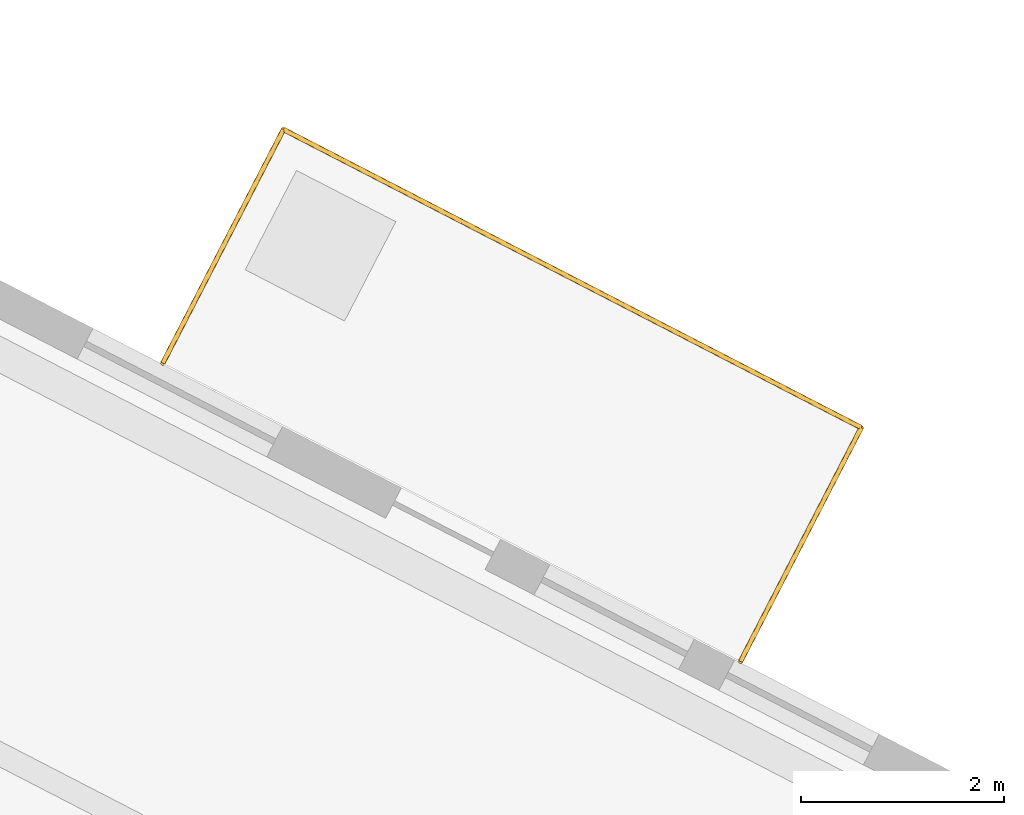
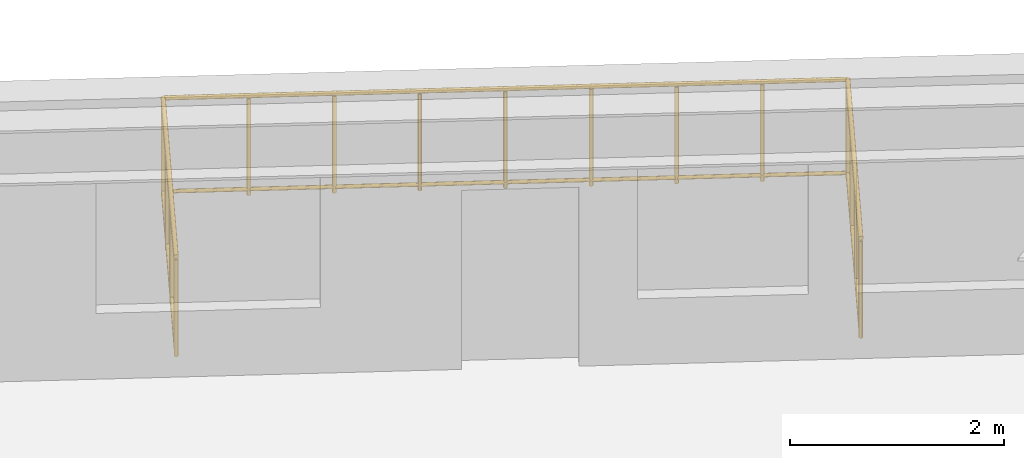
# One storey, part 8 of 8: 1 railing.
"""IFC4 building model written with IfcOpenShell, lengths in metres."""

import ifcopenshell
import ifcopenshell.guid

model = None  # the IFC model being written
_history = None  # IfcOwnerHistory: only IFC2X3 demands one
_inside = {}  # id of a spatial element -> (the spatial element, [elements in it])
_under = {}  # id of a project, library or spatial element -> (it, [spatial elements below it])
_declared = {}  # id of a project -> (the project, [libraries it declares])
_typed = {}  # id of a type object -> (the type object, [elements of that type])
_made_of = {}  # id of a material, layer set ... -> (it, [elements and type objects made of it])


def new_model(schema):
    """Start an empty IFC model of exactly this schema.

    Asked for "IFC4X3", IfcOpenShell would pick the latest addendum, in which some entities
    have other attributes; the version numbers below select the first issue.
    IFC2X3 requires an IfcOwnerHistory on every rooted entity: one is made here for all.
    """
    global model, _history
    if schema == "IFC4X3":
        model = ifcopenshell.file(schema_version=(4, 3, 0, 0))
    else:
        model = ifcopenshell.file(schema=schema)
    _inside.clear()
    _under.clear()
    _declared.clear()
    _typed.clear()
    _made_of.clear()
    _history = None
    if model.schema == "IFC2X3":
        org = make("IfcOrganization", Name="unknown")
        user = make(
            "IfcPersonAndOrganization",
            ThePerson=make("IfcPerson", FamilyName="unknown"),
            TheOrganization=org,
        )
        app = make(
            "IfcApplication",
            ApplicationDeveloper=org,
            Version="unknown",
            ApplicationFullName="unknown",
            ApplicationIdentifier="unknown",
        )
        _history = make(
            "IfcOwnerHistory",
            OwningUser=user,
            OwningApplication=app,
            ChangeAction="ADDED",
            CreationDate=0,
        )
    return model


def make(cls, **values):
    """One entity of the class cls with the attributes given. An attribute that is None is left unset."""
    return model.create_entity(
        cls, **{name: value for name, value in values.items() if value is not None}
    )


def rooted(cls, **values):
    """An entity with a GlobalId (a new one), such as an element, a storey or a relation."""
    return make(cls, GlobalId=ifcopenshell.guid.new(), OwnerHistory=_history, **values)


def si_unit(unit_type, name, prefix=None):
    """IfcSIUnit, for example si_unit("LENGTHUNIT", "METRE", prefix="MILLI")."""
    return make("IfcSIUnit", UnitType=unit_type, Prefix=prefix, Name=name)


def assignment(units):
    """IfcUnitAssignment: the units of a project."""
    return None if units is None else make("IfcUnitAssignment", Units=units)


def point(xyz):
    """IfcCartesianPoint."""
    return None if xyz is None else make("IfcCartesianPoint", Coordinates=xyz)


def direction(xyz):
    """IfcDirection."""
    return None if xyz is None else make("IfcDirection", DirectionRatios=xyz)


def frame(location, z_axis=None, x_axis=None):
    """IfcAxis2Placement3D, a coordinate frame: its origin and axes. An axis left out is left unset."""
    return make(
        "IfcAxis2Placement3D",
        Location=point(location),
        Axis=direction(z_axis),
        RefDirection=direction(x_axis),
    )


def frame_2d(location, x_axis=None):
    """IfcAxis2Placement2D, a coordinate frame in the plane: its origin and x axis."""
    return make(
        "IfcAxis2Placement2D", Location=point(location), RefDirection=direction(x_axis)
    )


def origin():
    """The frame at (0, 0, 0) with its axes left unset."""
    return frame((0.0, 0.0, 0.0))


def origin_2d():
    """The frame at (0, 0) in the plane with its x axis left unset."""
    return frame_2d((0.0, 0.0))


def place(relative_to, where):
    """IfcLocalPlacement: puts the frame where relative to a parent placement (None: the world)."""
    return make(
        "IfcLocalPlacement", PlacementRelTo=relative_to, RelativePlacement=where
    )


def context(
    kind, dimensions, precision=None, world=None, true_north=None, identifier=None
):
    """IfcGeometricRepresentationContext, for example the 3D "Model" context."""
    return make(
        "IfcGeometricRepresentationContext",
        ContextIdentifier=identifier,
        ContextType=kind,
        CoordinateSpaceDimension=dimensions,
        Precision=precision,
        WorldCoordinateSystem=world,
        TrueNorth=true_north,
    )


def subcontext(parent, identifier, kind, view, scale=None):
    """IfcGeometricRepresentationSubContext, for example "Body" below "Model"."""
    return make(
        "IfcGeometricRepresentationSubContext",
        ContextIdentifier=identifier,
        ContextType=kind,
        ParentContext=parent,
        TargetScale=scale,
        TargetView=view,
    )


def project(units=None, contexts=None):
    """IfcProject with its units and contexts."""
    return rooted(
        "IfcProject",
        Name="project",
        RepresentationContexts=contexts,
        UnitsInContext=assignment(units),
    )


def spatial(cls, under=None, at=None, **own):
    """A site, building, storey or space (cls), placed at a placement, below another one or the project."""
    s = rooted(cls, ObjectPlacement=at, **own)
    if under is not None:
        _under.setdefault(under.id(), (under, []))[1].append(s)
    return s


def profile(cls, at=None, kind="AREA", **sizes):
    """A parametric profile (cls). Its sizes go by their IFC names, for example OverallWidth=200.0."""
    return make(cls, ProfileType=kind, Position=at, **sizes)


def circle(**sizes):
    """IfcCircleProfileDef."""
    return profile("IfcCircleProfileDef", **sizes)


def extrude(swept, where, along, depth):
    """IfcExtrudedAreaSolid: the profile swept, set in the frame where, extruded along a direction by depth."""
    return make(
        "IfcExtrudedAreaSolid",
        SweptArea=swept,
        Position=where,
        ExtrudedDirection=direction(along),
        Depth=depth,
    )


def shape(context_of_items, identifier, shape_type, items):
    """IfcShapeRepresentation: the items that make up one representation, for example the "Body"."""
    return make(
        "IfcShapeRepresentation",
        ContextOfItems=context_of_items,
        RepresentationIdentifier=identifier,
        RepresentationType=shape_type,
        Items=items,
    )


def material(Name=None, Category=None):
    """IfcMaterial."""
    return make("IfcMaterial", Name=Name, Category=Category)


def made_of(thing, what):
    """Note that an element or type object is made of a material, layer set ...; save() writes the relation."""
    if what is not None:
        _made_of.setdefault(what.id(), (what, []))[1].append(thing)
    return thing


def type_object(cls, material=None, **own):
    """A type object (cls), such as IfcWallType, which elements share."""
    return made_of(rooted(cls, **own), material)


def element(
    cls,
    number,
    at=None,
    inside=None,
    cuts=None,
    type_object=None,
    material=None,
    context=None,
    identifier="Body",
    shape_type=None,
    held_by="IfcProductDefinitionShape",
    body=None,
    shapes=None,
    **own,
):
    """One element of the class cls, such as IfcWall. Its Tag is "e" and its number.

    at: its placement. inside: the storey or other place that contains it. cuts: it is an
    opening in that element (IfcRelVoidsElement). A single representation is given by context,
    identifier, shape_type and body (its items); several are given by shapes. held_by: the class
    of the entity that holds the representations. save() writes the other relations.
    """
    e = rooted(cls, Tag="e%d" % number, ObjectPlacement=at, **own)
    if body is not None:
        shapes = [shape(context, identifier, shape_type, body)]
    if shapes is not None:
        e.Representation = make(held_by, Representations=shapes)
    if inside is not None:
        _inside.setdefault(inside.id(), (inside, []))[1].append(e)
    if cuts is not None:
        rooted(
            "IfcRelVoidsElement", RelatingBuildingElement=cuts, RelatedOpeningElement=e
        )
    if type_object is not None:
        _typed.setdefault(type_object.id(), (type_object, []))[1].append(e)
    return made_of(e, material)


def aggregate(whole, parts):
    """IfcRelAggregates: a whole, such as a stair, and the parts it consists of."""
    return rooted("IfcRelAggregates", RelatingObject=whole, RelatedObjects=parts)


def save(model, path):
    """Write the relations noted so far, then the file.

    IfcRelAggregates (storeys below a building ...), IfcRelContainedInSpatialStructure (elements
    in a storey), IfcRelDefinesByType, IfcRelAssociatesMaterial and IfcRelDeclares: one each for
    every whole, place, type object, material and project.
    """
    for whole, parts in _under.values():
        aggregate(whole, parts)
    for where, things in _inside.values():
        rooted(
            "IfcRelContainedInSpatialStructure",
            RelatedElements=things,
            RelatingStructure=where,
        )
    for kind, things in _typed.values():
        rooted("IfcRelDefinesByType", RelatedObjects=things, RelatingType=kind)
    for what, things in _made_of.values():
        rooted("IfcRelAssociatesMaterial", RelatedObjects=things, RelatingMaterial=what)
    for by, libraries in _declared.values():
        rooted("IfcRelDeclares", RelatingContext=by, RelatedDefinitions=libraries)
    model.write(path)


model = new_model("IFC4")

# Units and contexts
model_context = context("Model", 3, precision=1e-05, world=origin(), true_north=direction((0.0, 1.0)))
body_context = subcontext(model_context, "Body", "Model", "MODEL_VIEW")
ifc_project = project(units=[si_unit("LENGTHUNIT", "METRE"), si_unit("AREAUNIT", "SQUARE_METRE"), si_unit("VOLUMEUNIT", "CUBIC_METRE"), si_unit("PLANEANGLEUNIT", "RADIAN"), si_unit("MASSUNIT", "GRAM", prefix="KILO"), si_unit("THERMODYNAMICTEMPERATUREUNIT", "KELVIN"), si_unit("POWERUNIT", "WATT")], contexts=[model_context])

# Site, building, storey
site_placement = place(None, origin())
site = spatial("IfcSite", under=ifc_project, at=site_placement, CompositionType="ELEMENT")
building_placement = place(site_placement, origin())
building = spatial("IfcBuilding", under=site, at=building_placement, Name="Skarre Station Tower", CompositionType="ELEMENT")
storey_placement = place(building_placement, frame((0.0, 0.0, 132.60009765625)))
storey = spatial("IfcBuildingStorey", under=building, at=storey_placement, Name="L35", CompositionType="ELEMENT", Elevation=132.60009765625)

# Railing
ifc_material = material(Name="Stainless Steel Grade 316L & Laminated Safety Glass", Category="steel")
railing_type = type_object("IfcRailingType", Name="Laminated Glass & Stainless Terrace Guardrail 1150", PredefinedType="BALUSTRADE", material=ifc_material)
railing_placement = place(storey_placement, frame((49.45703125, 38.966064453125, 0.0)))
element("IfcRailing", 1, at=railing_placement, inside=storey, type_object=railing_type, Name="L35 TB-L35-F0 Tree-Balcony Guardrail", PredefinedType="BALUSTRADE", context=body_context, shape_type="SweptSolid", body=[
    extrude(circle(Radius=0.02392578125, at=origin_2d()), frame((0.0, 0.0, 1.1259765625), z_axis=(0.458599707136, 0.888642959019, 0.0), x_axis=(-0.888642959019, 0.458599707136, 0.0)), (0.0, 0.0, 1.0), 2.590576171875),
    extrude(circle(Radius=0.02099609375, at=origin_2d()), frame((0.0, 0.0, 0.06005859375), z_axis=(0.458599707136, 0.888642959019, 0.0), x_axis=(-0.888642959019, 0.458599707136, 0.0)), (0.0, 0.0, 1.0), 2.590576171875),
    extrude(circle(Radius=0.02392578125, at=origin_2d()), frame((1.18798828125, 2.302001953125, 1.1259765625), z_axis=(-0.888647237743, 0.458591416026, 0.0), x_axis=(-0.458591416026, -0.888647237743, 0.0)), (0.0, 0.0, 1.0), 6.399658203125),
    extrude(circle(Radius=0.02099609375, at=origin_2d()), frame((1.18798828125, 2.302001953125, 0.06005859375), z_axis=(-0.888647237743, 0.458591416026, 0.0), x_axis=(-0.458591416026, -0.888647237743, 0.0)), (0.0, 0.0, 1.0), 6.399658203125),
    extrude(circle(Radius=0.02392578125, at=origin_2d()), frame((-4.4990234375, 5.23681640625, 1.1259765625), z_axis=(-0.458791817331, -0.888543790902, 0.0), x_axis=(0.888543790902, -0.458791817331, 0.0)), (0.0, 0.0, 1.0), 2.58935546875),
    extrude(circle(Radius=0.02099609375, at=origin_2d()), frame((-4.4990234375, 5.23681640625, 0.06005859375), z_axis=(-0.458791817331, -0.888543790902, 0.0), x_axis=(0.888543790902, -0.458791817331, 0.0)), (0.0, 0.0, 1.0), 2.58935546875),
    extrude(circle(Radius=0.02099609375, at=origin_2d()), origin(), (0.0, 0.0, 1.0), 1.101806640625),
    extrude(circle(Radius=0.02099609375, at=origin_2d()), frame((0.39599609375, 0.767333984375, 0.0)), (0.0, 0.0, 1.0), 1.101806640625),
    extrude(circle(Radius=0.02099609375, at=origin_2d()), frame((0.7919921875, 1.53466796875, 0.0)), (0.0, 0.0, 1.0), 1.101806640625),
    extrude(circle(Radius=0.02099609375, at=origin_2d()), frame((1.18798828125, 2.302001953125, 0.0)), (0.0, 0.0, 1.0), 1.101806640625),
    extrude(circle(Radius=0.02099609375, at=origin_2d()), frame((0.47705078125, 2.6689453125, 0.0)), (0.0, 0.0, 1.0), 1.101806640625),
    extrude(circle(Radius=0.02099609375, at=origin_2d()), frame((-0.23388671875, 3.03564453125, 0.0)), (0.0, 0.0, 1.0), 1.101806640625),
    extrude(circle(Radius=0.02099609375, at=origin_2d()), frame((-0.944580078125, 3.402587890625, 0.0)), (0.0, 0.0, 1.0), 1.101806640625),
    extrude(circle(Radius=0.02099609375, at=origin_2d()), frame((-1.655517578125, 3.76953125, 0.0)), (0.0, 0.0, 1.0), 1.101806640625),
    extrude(circle(Radius=0.02099609375, at=origin_2d()), frame((-2.366455078125, 4.13623046875, 0.0)), (0.0, 0.0, 1.0), 1.101806640625),
    extrude(circle(Radius=0.02099609375, at=origin_2d()), frame((-3.0771484375, 4.503173828125, 0.0)), (0.0, 0.0, 1.0), 1.101806640625),
    extrude(circle(Radius=0.02099609375, at=origin_2d()), frame((-3.7880859375, 4.869873046875, 0.0)), (0.0, 0.0, 1.0), 1.101806640625),
    extrude(circle(Radius=0.02099609375, at=origin_2d()), frame((-4.4990234375, 5.23681640625, 0.0)), (0.0, 0.0, 1.0), 1.101806640625),
    extrude(circle(Radius=0.02099609375, at=origin_2d()), frame((-4.89501953125, 4.469970703125, 0.0)), (0.0, 0.0, 1.0), 1.101806640625),
    extrude(circle(Radius=0.02099609375, at=origin_2d()), frame((-5.291015625, 3.702880859375, 0.0)), (0.0, 0.0, 1.0), 1.101806640625),
    extrude(circle(Radius=0.02099609375, at=origin_2d()), frame((-5.68701171875, 2.93603515625, 0.0)), (0.0, 0.0, 1.0), 1.101806640625),
])

save(model, "model.ifc")
